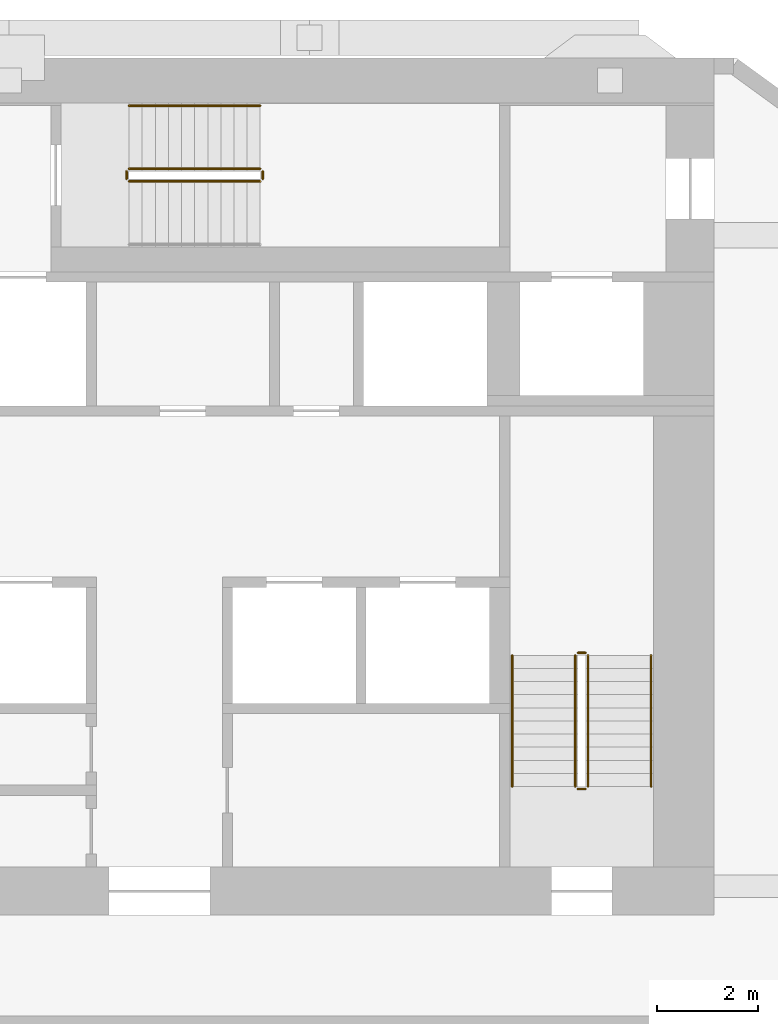
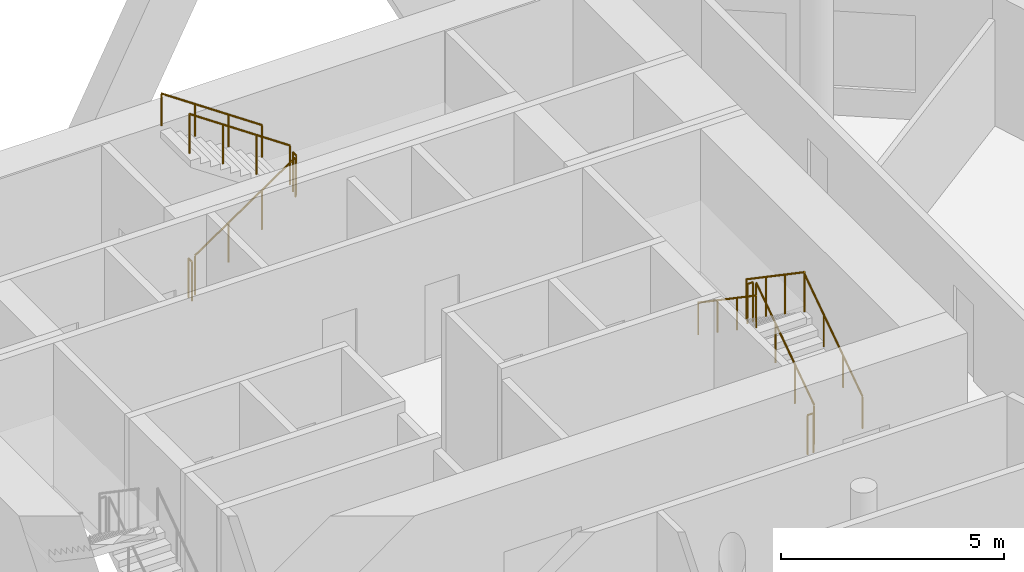
# One storey, part 10 of 10: 11 railings.
"""IFC4 building model written with IfcOpenShell, lengths in metres."""

from ifc_helpers import new_model, si_unit, direction, frame, origin, origin_2d, place, context, subcontext, project, spatial, circle, extrude, material, type_object, element, save


model = new_model("IFC4")

# Units and contexts
model_context = context("Model", 3, precision=1e-05, world=origin(), true_north=direction((0.0, 1.0)))
body_context = subcontext(model_context, "Body", "Model", "MODEL_VIEW")
ifc_project = project(units=[si_unit("LENGTHUNIT", "METRE"), si_unit("AREAUNIT", "SQUARE_METRE"), si_unit("VOLUMEUNIT", "CUBIC_METRE"), si_unit("PLANEANGLEUNIT", "RADIAN"), si_unit("MASSUNIT", "GRAM", prefix="KILO")], contexts=[model_context])

# Site, building, storey
site_placement = place(None, origin())
site = spatial("IfcSite", under=ifc_project, at=site_placement, CompositionType="ELEMENT")
building_placement = place(site_placement, origin())
building = spatial("IfcBuilding", under=site, at=building_placement, Name="White Candle Pilgrim Tower", CompositionType="ELEMENT")
storey_placement = place(building_placement, frame((0.0, 0.0, 172.0)))
storey = spatial("IfcBuildingStorey", under=building, at=storey_placement, Name="L39", CompositionType="ELEMENT", Elevation=172.0)

# Railings
ifc_material = material(Name="Stainless steel", Category="steel")
railing_type_1 = type_object("IfcRailingType", Name="Stair guard stainless steel 1100 mm", PredefinedType="GUARDRAIL", material=ifc_material)
railing_1_placement = place(storey_placement, frame((78.5, 73.550048828125, 0.17724609375)))
element("IfcRailing", 1, at=railing_1_placement, inside=storey, type_object=railing_type_1, Name="L39 ST2 stair guard 1", PredefinedType="GUARDRAIL", context=body_context, shape_type="SweptSolid", body=[
    extrude(circle(Radius=0.02392578125, at=origin_2d()), frame((0.0, 0.0, 1.076171875), z_axis=(0.0, 0.826215852431, 0.563353676824), x_axis=(-1.0, 0.0, 0.0)), (0.0, 0.0, 1.0), 3.146728515625),
    extrude(circle(Radius=0.02099609375, at=origin_2d()), origin(), (0.0, 0.0, 1.0), 1.052001953125),
    extrude(circle(Radius=0.02099609375, at=origin_2d()), frame((0.0, 0.86669921875, 0.5908203125)), (0.0, 0.0, 1.0), 1.052001953125),
    extrude(circle(Radius=0.02099609375, at=origin_2d()), frame((0.0, 1.733154296875, 1.181884765625)), (0.0, 0.0, 1.0), 1.052001953125),
    extrude(circle(Radius=0.02099609375, at=origin_2d()), frame((0.0, 2.599853515625, 1.772705078125)), (0.0, 0.0, 1.0), 1.052001953125),
])
railing_2_placement = place(storey_placement, frame((78.449951171875, 76.199951171875, 1.949951171875)))
element("IfcRailing", 2, at=railing_2_placement, inside=storey, type_object=railing_type_1, Name="L39 ST2 stair guard 2", PredefinedType="GUARDRAIL", context=body_context, shape_type="SweptSolid", body=[
    extrude(circle(Radius=0.02392578125, at=origin_2d()), frame((0.0, 0.0, 1.076171875), z_axis=(-1.0, 0.0, 0.0), x_axis=(0.0, -1.0, 0.0)), (0.0, 0.0, 1.0), 0.14990234375),
    extrude(circle(Radius=0.02099609375, at=origin_2d()), origin(), (0.0, 0.0, 1.0), 1.052001953125),
    extrude(circle(Radius=0.02099609375, at=origin_2d()), frame((-0.14990234375, 0.0, 0.0)), (0.0, 0.0, 1.0), 1.052001953125),
])
railing_3_placement = place(storey_placement, frame((78.25, 76.14990234375, 2.127197265625)))
element("IfcRailing", 3, at=railing_3_placement, inside=storey, type_object=railing_type_1, Name="L39 ST2 stair guard 3", PredefinedType="GUARDRAIL", context=body_context, shape_type="SweptSolid", body=[
    extrude(circle(Radius=0.02392578125, at=origin_2d()), frame((0.0, 0.0, 1.076171875), z_axis=(0.0, -0.826215852431, 0.563353676824), x_axis=(1.0, 0.0, 0.0)), (0.0, 0.0, 1.0), 3.146728515625),
    extrude(circle(Radius=0.02099609375, at=origin_2d()), origin(), (0.0, 0.0, 1.0), 1.052001953125),
    extrude(circle(Radius=0.02099609375, at=origin_2d()), frame((0.0, -0.86669921875, 0.5908203125)), (0.0, 0.0, 1.0), 1.052001953125),
    extrude(circle(Radius=0.02099609375, at=origin_2d()), frame((0.0, -1.733154296875, 1.181884765625)), (0.0, 0.0, 1.0), 1.052001953125),
    extrude(circle(Radius=0.02099609375, at=origin_2d()), frame((0.0, -2.599853515625, 1.772705078125)), (0.0, 0.0, 1.0), 1.052001953125),
])
railing_4_placement = place(storey_placement, frame((78.449951171875, 73.5, 0.0)))
element("IfcRailing", 4, at=railing_4_placement, inside=storey, type_object=railing_type_1, Name="L39 ST2 stair guard 4", PredefinedType="GUARDRAIL", context=body_context, shape_type="SweptSolid", body=[
    extrude(circle(Radius=0.02392578125, at=origin_2d()), frame((0.0, 0.0, 1.076171875), z_axis=(-1.0, 0.0, 0.0), x_axis=(0.0, -1.0, 0.0)), (0.0, 0.0, 1.0), 0.14990234375),
    extrude(circle(Radius=0.02099609375, at=origin_2d()), origin(), (0.0, 0.0, 1.0), 1.052001953125),
    extrude(circle(Radius=0.02099609375, at=origin_2d()), frame((-0.14990234375, 0.0, 0.0)), (0.0, 0.0, 1.0), 1.052001953125),
])
railing_5_placement = place(storey_placement, frame((69.39990234375, 85.550048828125, 0.17724609375)))
element("IfcRailing", 5, at=railing_5_placement, inside=storey, type_object=railing_type_1, Name="L39 ST3 stair guard 1", PredefinedType="GUARDRAIL", context=body_context, shape_type="SweptSolid", body=[
    extrude(circle(Radius=0.02392578125, at=origin_2d()), frame((0.0, 0.0, 1.076171875), z_axis=(0.826240473404, 0.0, 0.563317565952), x_axis=(0.0, 1.0, 0.0)), (0.0, 0.0, 1.0), 3.14697265625),
    extrude(circle(Radius=0.02099609375, at=origin_2d()), origin(), (0.0, 0.0, 1.0), 1.052001953125),
    extrude(circle(Radius=0.02099609375, at=origin_2d()), frame((0.86669921875, 0.0, 0.5908203125)), (0.0, 0.0, 1.0), 1.052001953125),
    extrude(circle(Radius=0.02099609375, at=origin_2d()), frame((1.7333984375, 0.0, 1.181884765625)), (0.0, 0.0, 1.0), 1.052001953125),
    extrude(circle(Radius=0.02099609375, at=origin_2d()), frame((2.60009765625, 0.0, 1.772705078125)), (0.0, 0.0, 1.0), 1.052001953125),
])
railing_6_placement = place(storey_placement, frame((72.050048828125, 85.60009765625, 1.949951171875)))
element("IfcRailing", 6, at=railing_6_placement, inside=storey, type_object=railing_type_1, Name="L39 ST3 stair guard 2", PredefinedType="GUARDRAIL", context=body_context, shape_type="SweptSolid", body=[
    extrude(circle(Radius=0.02392578125, at=origin_2d()), frame((0.0, 0.0, 1.076171875), z_axis=(0.0, 1.0, 0.0), x_axis=(-1.0, 0.0, 0.0)), (0.0, 0.0, 1.0), 0.14990234375),
    extrude(circle(Radius=0.02099609375, at=origin_2d()), origin(), (0.0, 0.0, 1.0), 1.052001953125),
    extrude(circle(Radius=0.02099609375, at=origin_2d()), frame((0.0, 0.14990234375, 0.0)), (0.0, 0.0, 1.0), 1.052001953125),
])
railing_7_placement = place(storey_placement, frame((72.0, 85.800048828125, 2.127197265625)))
element("IfcRailing", 7, at=railing_7_placement, inside=storey, type_object=railing_type_1, Name="L39 ST3 stair guard 3", PredefinedType="GUARDRAIL", context=body_context, shape_type="SweptSolid", body=[
    extrude(circle(Radius=0.02392578125, at=origin_2d()), frame((0.0, 0.0, 1.076171875), z_axis=(-0.826240473404, 0.0, 0.563317565952), x_axis=(0.0, -1.0, 0.0)), (0.0, 0.0, 1.0), 3.14697265625),
    extrude(circle(Radius=0.02099609375, at=origin_2d()), origin(), (0.0, 0.0, 1.0), 1.052001953125),
    extrude(circle(Radius=0.02099609375, at=origin_2d()), frame((-0.86669921875, 0.0, 0.5908203125)), (0.0, 0.0, 1.0), 1.052001953125),
    extrude(circle(Radius=0.02099609375, at=origin_2d()), frame((-1.7333984375, 0.0, 1.181884765625)), (0.0, 0.0, 1.0), 1.052001953125),
    extrude(circle(Radius=0.02099609375, at=origin_2d()), frame((-2.60009765625, 0.0, 1.772705078125)), (0.0, 0.0, 1.0), 1.052001953125),
])
railing_8_placement = place(storey_placement, frame((69.35009765625, 85.60009765625, 0.0)))
element("IfcRailing", 8, at=railing_8_placement, inside=storey, type_object=railing_type_1, Name="L39 ST3 stair guard 4", PredefinedType="GUARDRAIL", context=body_context, shape_type="SweptSolid", body=[
    extrude(circle(Radius=0.02392578125, at=origin_2d()), frame((0.0, 0.0, 1.076171875), z_axis=(0.0, 1.0, 0.0), x_axis=(-1.0, 0.0, 0.0)), (0.0, 0.0, 1.0), 0.14990234375),
    extrude(circle(Radius=0.02099609375, at=origin_2d()), origin(), (0.0, 0.0, 1.0), 1.052001953125),
    extrude(circle(Radius=0.02099609375, at=origin_2d()), frame((0.0, 0.14990234375, 0.0)), (0.0, 0.0, 1.0), 1.052001953125),
])
railing_type_2 = type_object("IfcRailingType", Name="Stair handrail stainless steel", PredefinedType="HANDRAIL", material=ifc_material)
railing_9_placement = place(storey_placement, frame((79.75, 73.550048828125, 0.17724609375)))
element("IfcRailing", 9, at=railing_9_placement, inside=storey, type_object=railing_type_2, Name="L39 ST2 stair handrail 1", PredefinedType="HANDRAIL", context=body_context, shape_type="SweptSolid", body=[
    extrude(circle(Radius=0.02392578125, at=origin_2d()), frame((0.0, 0.0, 0.8759765625), z_axis=(0.0, 0.826215852431, 0.563353676824), x_axis=(-1.0, 0.0, 0.0)), (0.0, 0.0, 1.0), 3.146728515625),
    extrude(circle(Radius=0.02099609375, at=origin_2d()), origin(), (0.0, 0.0, 1.0), 0.851806640625),
    extrude(circle(Radius=0.02099609375, at=origin_2d()), frame((0.0, 0.86669921875, 0.5908203125)), (0.0, 0.0, 1.0), 0.851806640625),
    extrude(circle(Radius=0.02099609375, at=origin_2d()), frame((0.0, 1.733154296875, 1.181884765625)), (0.0, 0.0, 1.0), 0.851806640625),
    extrude(circle(Radius=0.02099609375, at=origin_2d()), frame((0.0, 2.599853515625, 1.772705078125)), (0.0, 0.0, 1.0), 0.851806640625),
])
railing_10_placement = place(storey_placement, frame((77.0, 76.14990234375, 2.127197265625)))
element("IfcRailing", 10, at=railing_10_placement, inside=storey, type_object=railing_type_2, Name="L39 ST2 stair handrail 2", PredefinedType="HANDRAIL", context=body_context, shape_type="SweptSolid", body=[
    extrude(circle(Radius=0.02392578125, at=origin_2d()), frame((0.0, 0.0, 0.8759765625), z_axis=(0.0, -0.826215852431, 0.563353676824), x_axis=(1.0, 0.0, 0.0)), (0.0, 0.0, 1.0), 3.146728515625),
    extrude(circle(Radius=0.02099609375, at=origin_2d()), origin(), (0.0, 0.0, 1.0), 0.851806640625),
    extrude(circle(Radius=0.02099609375, at=origin_2d()), frame((0.0, -0.86669921875, 0.5908203125)), (0.0, 0.0, 1.0), 0.851806640625),
    extrude(circle(Radius=0.02099609375, at=origin_2d()), frame((0.0, -1.733154296875, 1.181884765625)), (0.0, 0.0, 1.0), 0.851806640625),
    extrude(circle(Radius=0.02099609375, at=origin_2d()), frame((0.0, -2.599853515625, 1.772705078125)), (0.0, 0.0, 1.0), 0.851806640625),
])
railing_11_placement = place(storey_placement, frame((72.0, 87.050048828125, 2.127197265625)))
element("IfcRailing", 11, at=railing_11_placement, inside=storey, type_object=railing_type_2, Name="L39 ST3 stair handrail 2", PredefinedType="HANDRAIL", context=body_context, shape_type="SweptSolid", body=[
    extrude(circle(Radius=0.02392578125, at=origin_2d()), frame((0.0, 0.0, 0.8759765625), z_axis=(-0.826240473404, 0.0, 0.563317565952), x_axis=(0.0, -1.0, 0.0)), (0.0, 0.0, 1.0), 3.14697265625),
    extrude(circle(Radius=0.02099609375, at=origin_2d()), origin(), (0.0, 0.0, 1.0), 0.851806640625),
    extrude(circle(Radius=0.02099609375, at=origin_2d()), frame((-0.86669921875, 0.0, 0.5908203125)), (0.0, 0.0, 1.0), 0.851806640625),
    extrude(circle(Radius=0.02099609375, at=origin_2d()), frame((-1.7333984375, 0.0, 1.181884765625)), (0.0, 0.0, 1.0), 0.851806640625),
    extrude(circle(Radius=0.02099609375, at=origin_2d()), frame((-2.60009765625, 0.0, 1.772705078125)), (0.0, 0.0, 1.0), 0.851806640625),
])

save(model, "model.ifc")
